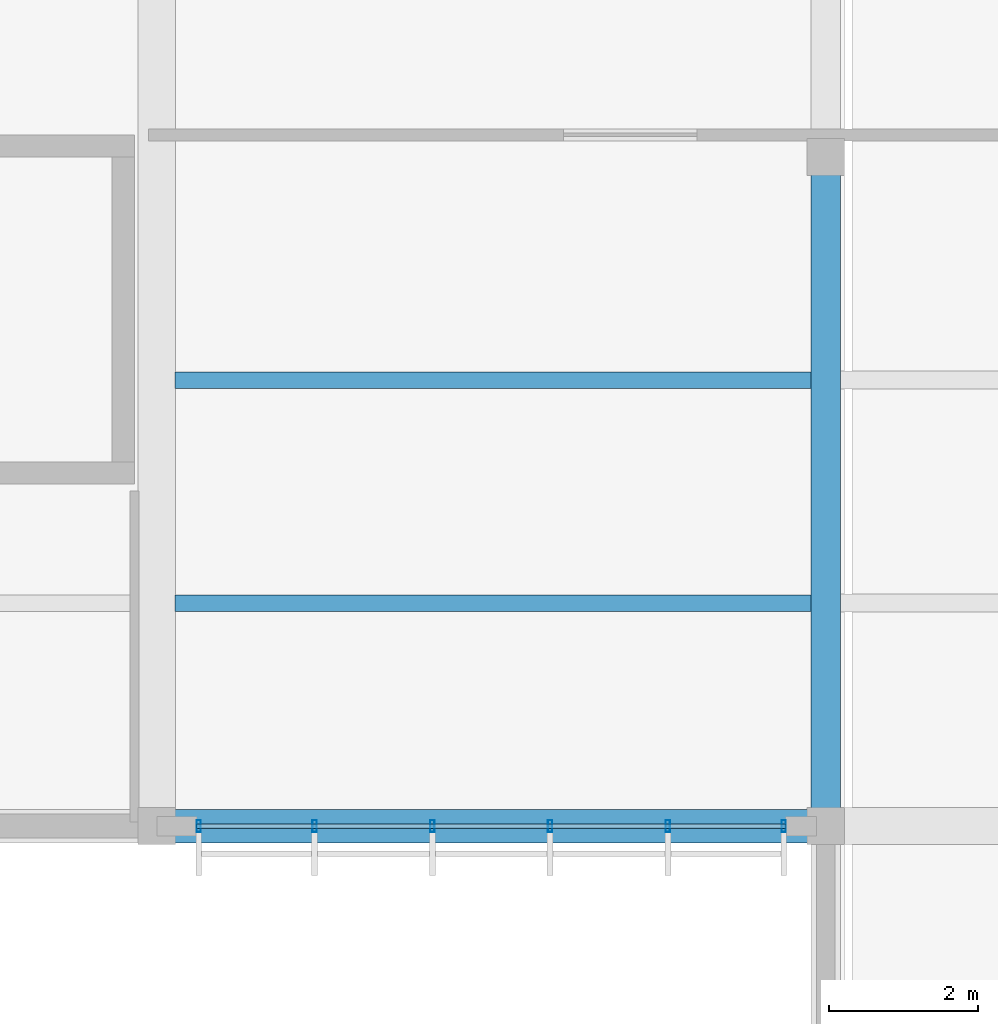
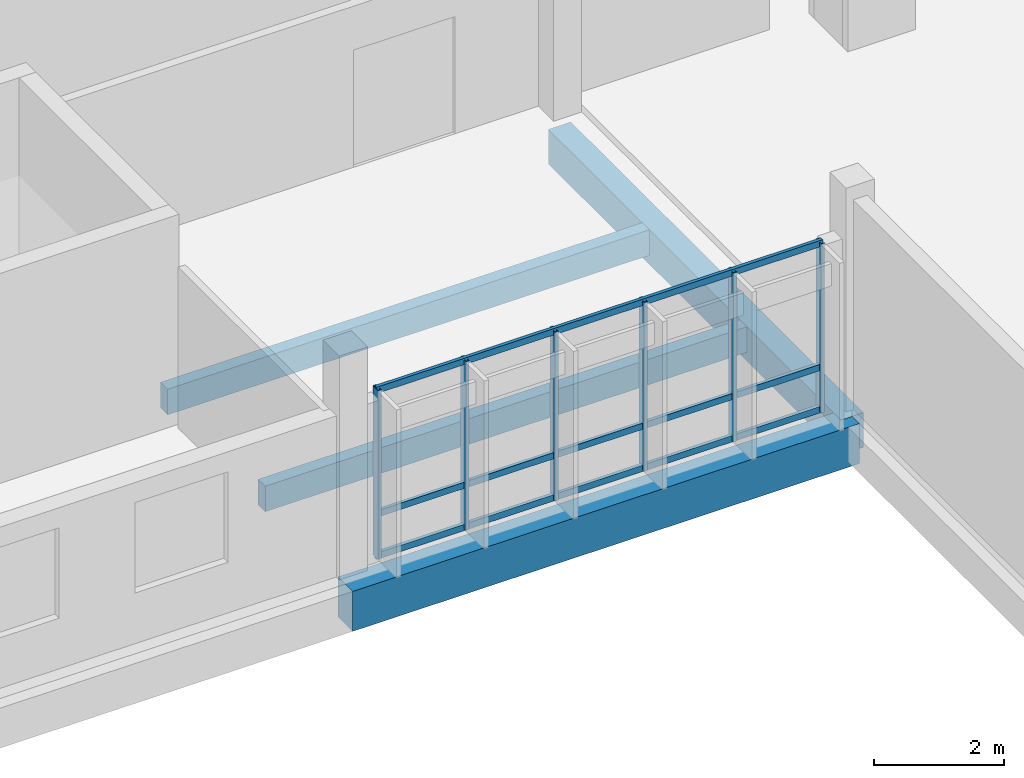
# One storey, part 87 of 182: 9 members, 4 beams, 1 element without a shape of its own.
"""IFC4 building model written with IfcOpenShell, lengths in metres."""

from ifc_helpers import new_model, si_unit, direction, frame, origin, origin_2d, place, context, subcontext, project, spatial, rectangle, hollow_rectangle, extrude, material, material_profile, profile_set, type_object, element, aggregate, save


model = new_model("IFC4")

# Units and contexts
model_context = context("Model", 3, precision=1e-05, world=origin(), true_north=direction((0.0, 1.0)))
body_context = subcontext(model_context, "Body", "Model", "MODEL_VIEW")
ifc_project = project(units=[si_unit("LENGTHUNIT", "METRE"), si_unit("AREAUNIT", "SQUARE_METRE"), si_unit("VOLUMEUNIT", "CUBIC_METRE"), si_unit("PLANEANGLEUNIT", "RADIAN"), si_unit("MASSUNIT", "GRAM", prefix="KILO")], contexts=[model_context])

# Site, building, storey
site_placement = place(None, origin())
site = spatial("IfcSite", under=ifc_project, at=site_placement, CompositionType="ELEMENT")
building_placement = place(site_placement, origin())
building = spatial("IfcBuilding", under=site, at=building_placement, Name="Chiffa Square Polytechnic", CompositionType="ELEMENT")
storey_placement = place(building_placement, frame((0.0, 0.0, 9.60009765625)))
storey = spatial("IfcBuildingStorey", under=building, at=storey_placement, Name="L02", CompositionType="ELEMENT", Elevation=9.60009765625)

# Beams
ifc_material_1 = material(Name="Concrete C35/45", Category="concrete")
ifc_material_profile_1 = material_profile(ifc_material_1, rectangle(XDim=0.39990234375, YDim=0.64990234375, at=origin_2d()), Name="RC 400x650")
ifc_profile_set_1 = profile_set([ifc_material_profile_1], Name="Concrete C35/45")
beam_type_1 = type_object("IfcBeamType", Name="BM-RC-400X650", PredefinedType="BEAM", material=ifc_profile_set_1)
beam_1_placement = place(storey_placement, frame((111.60009765625, 103.800048828125, -0.64501953125), z_axis=(0.0, 1.0, 0.0), x_axis=(-1.0, 0.0, 0.0)))
element("IfcBeam", 1, at=beam_1_placement, inside=storey, type_object=beam_type_1, Name="Primary floor girder BM-V5-L02-Y-1116-1038", PredefinedType="BEAM", context=body_context, shape_type="SweptSolid", body=[
    extrude(rectangle(XDim=0.39990234375, YDim=0.64990234375, at=origin_2d()), origin(), (0.0, 0.0, 1.0), 9.0),
])
ifc_material_profile_2 = material_profile(ifc_material_1, rectangle(XDim=0.449951171875, YDim=0.75, at=origin_2d()), Name="RC 450x750")
ifc_profile_set_2 = profile_set([ifc_material_profile_2], Name="Concrete C35/45")
beam_type_2 = type_object("IfcBeamType", Name="BM-RC-450X750", PredefinedType="BEAM", material=ifc_profile_set_2)
beam_2_placement = place(storey_placement, frame((102.60009765625, 103.800048828125, -0.695068359375), z_axis=(1.0, 0.0, 0.0), x_axis=(0.0, 1.0, 0.0)))
element("IfcBeam", 2, at=beam_2_placement, inside=storey, type_object=beam_type_2, Name="Primary floor girder BM-V5-L02-X-1026-1038", PredefinedType="BEAM", context=body_context, shape_type="SweptSolid", body=[
    extrude(rectangle(XDim=0.449951171875, YDim=0.75, at=origin_2d()), origin(), (0.0, 0.0, 1.0), 9.0),
])

# Curtain wall, members
ifc_material_2 = material(Name="Aluminium EN AW-6060 T66 and glulam shading", Category="wood")
curtain_wall_type = type_object("IfcCurtainWallType", Name="CW-VERT-480X380", PredefinedType="USERDEFINED", material=ifc_material_2)
curtain_wall_placement = place(storey_placement, origin())
curtain_wall = element("IfcCurtainWall", 3, at=curtain_wall_placement, inside=storey, type_object=curtain_wall_type, Name="Curtain wall CW-V5-L02-214", ObjectType="CURTAIN WALL", PredefinedType="USERDEFINED")
ifc_material_3 = material(Name="Aluminium EN AW-6060 T66", Category="aluminium")
ifc_material_profile_3 = material_profile(ifc_material_3, hollow_rectangle(XDim=0.06005859375, YDim=0.159912109375, WallThickness=0.00390625, at=origin_2d()), Name="ALU 60x160x4")
ifc_profile_set_3 = profile_set([ifc_material_profile_3], Name="Aluminium EN AW-6060 T66")
member_type_1 = type_object("IfcMemberType", Name="CWM-ALU-65X150", PredefinedType="MULLION", material=ifc_profile_set_3)
member_1_placement = place(storey_placement, frame((103.1650390625, 103.800048828125, 0.0), z_axis=(0.0, 0.0, 1.0), x_axis=(1.0, 0.0, 0.0)))
member_1 = element("IfcMember", 4, at=member_1_placement, type_object=member_type_1, Name="Curtain wall mullion CW-V5-L02-214-M00", PredefinedType="MULLION", context=body_context, shape_type="SweptSolid", body=[
    extrude(hollow_rectangle(XDim=0.06005859375, YDim=0.159912109375, WallThickness=0.00390625, at=origin_2d()), origin(), (0.0, 0.0, 1.0), 3.1748046875),
])
member_2_placement = place(storey_placement, frame((104.72412109375, 103.800048828125, 0.0), z_axis=(0.0, 0.0, 1.0), x_axis=(1.0, 0.0, 0.0)))
member_2 = element("IfcMember", 5, at=member_2_placement, type_object=member_type_1, Name="Curtain wall mullion CW-V5-L02-214-M01", PredefinedType="MULLION", context=body_context, shape_type="SweptSolid", body=[
    extrude(hollow_rectangle(XDim=0.06005859375, YDim=0.159912109375, WallThickness=0.00390625, at=origin_2d()), origin(), (0.0, 0.0, 1.0), 3.1748046875),
])
member_3_placement = place(storey_placement, frame((106.30810546875, 103.800048828125, 0.0), z_axis=(0.0, 0.0, 1.0), x_axis=(1.0, 0.0, 0.0)))
member_3 = element("IfcMember", 6, at=member_3_placement, type_object=member_type_1, Name="Curtain wall mullion CW-V5-L02-214-M02", PredefinedType="MULLION", context=body_context, shape_type="SweptSolid", body=[
    extrude(hollow_rectangle(XDim=0.06005859375, YDim=0.159912109375, WallThickness=0.00390625, at=origin_2d()), origin(), (0.0, 0.0, 1.0), 3.1748046875),
])
member_4_placement = place(storey_placement, frame((107.89208984375, 103.800048828125, 0.0), z_axis=(0.0, 0.0, 1.0), x_axis=(1.0, 0.0, 0.0)))
member_4 = element("IfcMember", 7, at=member_4_placement, type_object=member_type_1, Name="Curtain wall mullion CW-V5-L02-214-M03", PredefinedType="MULLION", context=body_context, shape_type="SweptSolid", body=[
    extrude(hollow_rectangle(XDim=0.06005859375, YDim=0.159912109375, WallThickness=0.00390625, at=origin_2d()), origin(), (0.0, 0.0, 1.0), 3.1748046875),
])
member_5_placement = place(storey_placement, frame((109.47607421875, 103.800048828125, 0.0), z_axis=(0.0, 0.0, 1.0), x_axis=(1.0, 0.0, 0.0)))
member_5 = element("IfcMember", 8, at=member_5_placement, type_object=member_type_1, Name="Curtain wall mullion CW-V5-L02-214-M04", PredefinedType="MULLION", context=body_context, shape_type="SweptSolid", body=[
    extrude(hollow_rectangle(XDim=0.06005859375, YDim=0.159912109375, WallThickness=0.00390625, at=origin_2d()), origin(), (0.0, 0.0, 1.0), 3.1748046875),
])
member_6_placement = place(storey_placement, frame((111.034912109375, 103.800048828125, 0.0), z_axis=(0.0, 0.0, 1.0), x_axis=(1.0, 0.0, 0.0)))
member_6 = element("IfcMember", 9, at=member_6_placement, type_object=member_type_1, Name="Curtain wall mullion CW-V5-L02-214-M05", PredefinedType="MULLION", context=body_context, shape_type="SweptSolid", body=[
    extrude(hollow_rectangle(XDim=0.06005859375, YDim=0.159912109375, WallThickness=0.00390625, at=origin_2d()), origin(), (0.0, 0.0, 1.0), 3.1748046875),
])
ifc_material_profile_4 = material_profile(ifc_material_3, hollow_rectangle(XDim=0.06005859375, YDim=0.1201171875, WallThickness=0.00390625, at=origin_2d()), Name="ALU 60x120x4")
ifc_profile_set_4 = profile_set([ifc_material_profile_4], Name="Aluminium EN AW-6060 T66")
member_type_2 = type_object("IfcMemberType", Name="CWT-ALU-65X120", PredefinedType="USERDEFINED", material=ifc_profile_set_4)
member_7_placement = place(storey_placement, frame((103.137939453125, 103.800048828125, 0.02978515625), z_axis=(1.0, 0.0, 0.0), x_axis=(0.0, 1.0, 0.0)))
member_7 = element("IfcMember", 10, at=member_7_placement, type_object=member_type_2, Name="Curtain wall transom CW-V5-L02-214-T01", ObjectType="TRANSOM", PredefinedType="USERDEFINED", context=body_context, shape_type="SweptSolid", body=[
    extrude(hollow_rectangle(XDim=0.06005859375, YDim=0.1201171875, WallThickness=0.00390625, at=origin_2d()), origin(), (0.0, 0.0, 1.0), 7.924072265625),
])
member_8_placement = place(storey_placement, frame((103.137939453125, 103.800048828125, 0.81982421875), z_axis=(1.0, 0.0, 0.0), x_axis=(0.0, 1.0, 0.0)))
member_8 = element("IfcMember", 11, at=member_8_placement, type_object=member_type_2, Name="Curtain wall transom CW-V5-L02-214-T02", ObjectType="TRANSOM", PredefinedType="USERDEFINED", context=body_context, shape_type="SweptSolid", body=[
    extrude(hollow_rectangle(XDim=0.06005859375, YDim=0.1201171875, WallThickness=0.00390625, at=origin_2d()), origin(), (0.0, 0.0, 1.0), 7.924072265625),
])
member_9_placement = place(storey_placement, frame((103.137939453125, 103.800048828125, 3.14501953125), z_axis=(1.0, 0.0, 0.0), x_axis=(0.0, 1.0, 0.0)))
member_9 = element("IfcMember", 12, at=member_9_placement, type_object=member_type_2, Name="Curtain wall transom CW-V5-L02-214-T03", ObjectType="TRANSOM", PredefinedType="USERDEFINED", context=body_context, shape_type="SweptSolid", body=[
    extrude(hollow_rectangle(XDim=0.06005859375, YDim=0.1201171875, WallThickness=0.00390625, at=origin_2d()), origin(), (0.0, 0.0, 1.0), 7.924072265625),
])
aggregate(curtain_wall, [member_1, member_2, member_3, member_4, member_5, member_6, member_7, member_8, member_9])

# Beams
ifc_material_4 = material(Name="Glulam GL28h", Category="wood")
ifc_material_profile_5 = material_profile(ifc_material_4, rectangle(XDim=0.219970703125, YDim=0.47998046875, at=origin_2d()), Name="GL28h 220x480")
ifc_profile_set_5 = profile_set([ifc_material_profile_5], Name="Glulam GL28h")
beam_type_3 = type_object("IfcBeamType", Name="JST-GL-220X480", PredefinedType="JOIST", material=ifc_profile_set_5)
for number, where, z_axis, x_axis, name in (
    (13, (102.847900390625, 106.800048828125, -0.56005859375), (1.0, 0.0, 0.0), (0.0, 1.0, 0.0), "Secondary floor joist JST-V5-L02-1026-1068"),
    (14, (102.847900390625, 109.800048828125, -0.56005859375), (1.0, 0.0, 0.0), (0.0, 1.0, 0.0), "Secondary floor joist JST-V5-L02-1026-1098"),
):
    element("IfcBeam", number, at=place(storey_placement, frame(where, z_axis=z_axis, x_axis=x_axis)), inside=storey, type_object=beam_type_3, Name=name, PredefinedType="JOIST", context=body_context, shape_type="SweptSolid", body=[
        extrude(rectangle(XDim=0.219970703125, YDim=0.47998046875, at=origin_2d()), origin(), (0.0, 0.0, 1.0), 8.55419921875),
    ])

save(model, "model.ifc")
